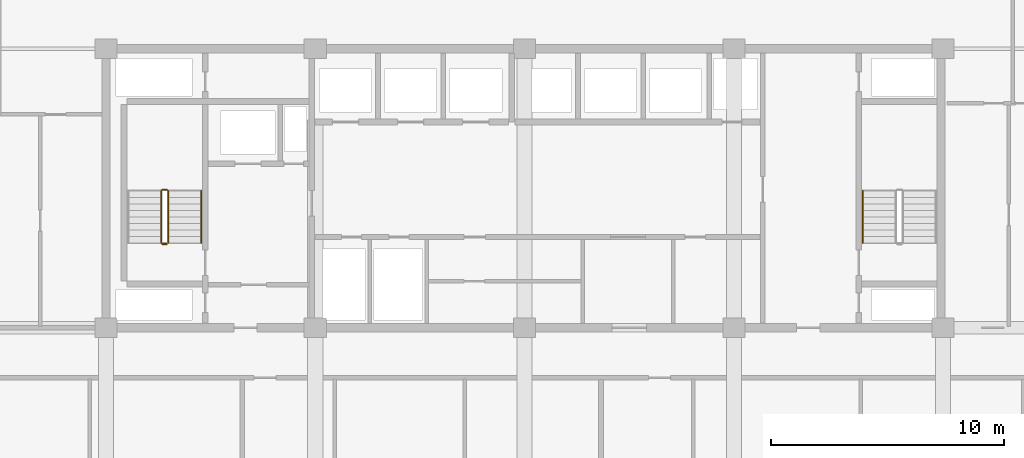
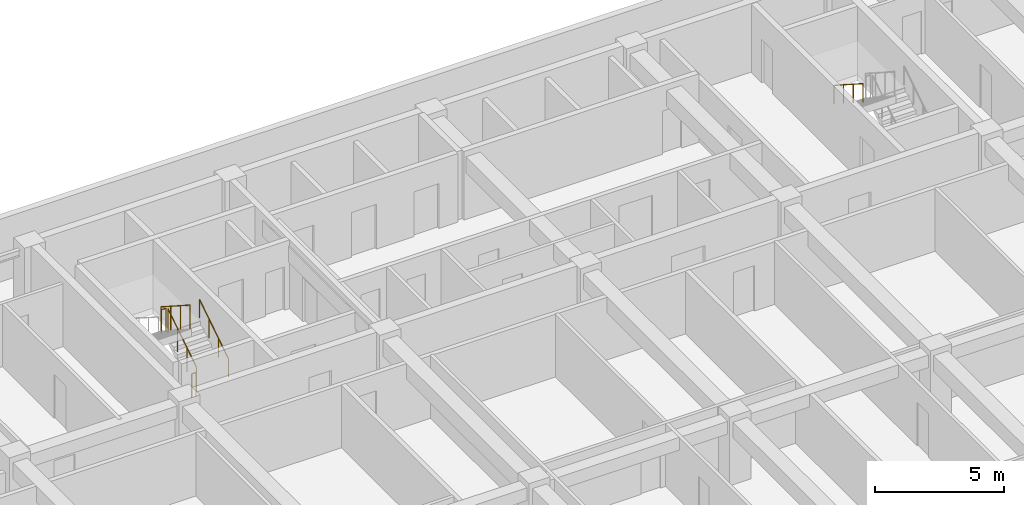
# One storey, part 20 of 23: 6 railings.
"""IFC4 building model written with IfcOpenShell, lengths in metres."""

from ifc_helpers import new_model, si_unit, direction, frame, origin, origin_2d, place, context, subcontext, project, spatial, circle, extrude, material, type_object, element, save


model = new_model("IFC4")

# Units and contexts
model_context = context("Model", 3, precision=1e-05, world=origin(), true_north=direction((0.0, 1.0)))
body_context = subcontext(model_context, "Body", "Model", "MODEL_VIEW")
ifc_project = project(units=[si_unit("LENGTHUNIT", "METRE"), si_unit("AREAUNIT", "SQUARE_METRE"), si_unit("VOLUMEUNIT", "CUBIC_METRE"), si_unit("PLANEANGLEUNIT", "RADIAN"), si_unit("MASSUNIT", "GRAM", prefix="KILO")], contexts=[model_context])

# Site, building, storey
site_placement = place(None, origin())
site = spatial("IfcSite", under=ifc_project, at=site_placement, CompositionType="ELEMENT")
building_placement = place(site_placement, origin())
building = spatial("IfcBuilding", under=site, at=building_placement, Name="Korimba Cascade Residences", CompositionType="ELEMENT")
storey_placement = place(building_placement, frame((0.0, 0.0, 50.0)))
storey = spatial("IfcBuildingStorey", under=building, at=storey_placement, Name="L13", CompositionType="ELEMENT", Elevation=50.0)

# Railings
ifc_material_1 = material(Name="Painted Steel Stairwell Guardrail", Category="steel")
railing_type_1 = type_object("IfcRailingType", Name="RLG-ST-GD1150", PredefinedType="GUARDRAIL", material=ifc_material_1)
railing_1_placement = place(storey_placement, frame((84.77001953125, 22.050048828125, 0.1806640625)))
element("IfcRailing", 1, at=railing_1_placement, inside=storey, type_object=railing_type_1, Name="L13 ST-E1 stair guard 1", PredefinedType="GUARDRAIL", context=body_context, shape_type="SweptSolid", body=[
    extrude(circle(Radius=0.02392578125, at=origin_2d()), frame((0.0, 0.0, 1.1259765625), z_axis=(0.0, 0.840436612492, 0.541909863706), x_axis=(-1.0, 0.0, 0.0)), (0.0, 0.0, 1.0), 2.665283203125),
    extrude(circle(Radius=0.02099609375, at=origin_2d()), origin(), (0.0, 0.0, 1.0), 1.101806640625),
    extrude(circle(Radius=0.02099609375, at=origin_2d()), frame((0.0, 0.74658203125, 0.4814453125)), (0.0, 0.0, 1.0), 1.101806640625),
    extrude(circle(Radius=0.02099609375, at=origin_2d()), frame((0.0, 1.493408203125, 0.962890625)), (0.0, 0.0, 1.0), 1.101806640625),
    extrude(circle(Radius=0.02099609375, at=origin_2d()), frame((0.0, 2.239990234375, 1.4443359375)), (0.0, 0.0, 1.0), 1.101806640625),
])
railing_2_placement = place(storey_placement, frame((84.719970703125, 24.340087890625, 1.625)))
element("IfcRailing", 2, at=railing_2_placement, inside=storey, type_object=railing_type_1, Name="L13 ST-E1 stair guard 2", PredefinedType="GUARDRAIL", context=body_context, shape_type="SweptSolid", body=[
    extrude(circle(Radius=0.02392578125, at=origin_2d()), frame((0.0, 0.0, 1.1259765625), z_axis=(-1.0, 0.0, 0.0), x_axis=(0.0, -1.0, 0.0)), (0.0, 0.0, 1.0), 0.199951171875),
    extrude(circle(Radius=0.02099609375, at=origin_2d()), origin(), (0.0, 0.0, 1.0), 1.101806640625),
    extrude(circle(Radius=0.02099609375, at=origin_2d()), frame((-0.199951171875, 0.0, 0.0)), (0.0, 0.0, 1.0), 1.101806640625),
])
railing_3_placement = place(storey_placement, frame((84.469970703125, 24.2900390625, 1.8056640625)))
element("IfcRailing", 3, at=railing_3_placement, inside=storey, type_object=railing_type_1, Name="L13 ST-E1 stair guard 3", PredefinedType="GUARDRAIL", context=body_context, shape_type="SweptSolid", body=[
    extrude(circle(Radius=0.02392578125, at=origin_2d()), frame((0.0, 0.0, 1.1259765625), z_axis=(0.0, -0.840436612492, 0.541909863706), x_axis=(1.0, 0.0, 0.0)), (0.0, 0.0, 1.0), 2.665283203125),
    extrude(circle(Radius=0.02099609375, at=origin_2d()), origin(), (0.0, 0.0, 1.0), 1.101806640625),
    extrude(circle(Radius=0.02099609375, at=origin_2d()), frame((0.0, -0.74658203125, 0.4814453125)), (0.0, 0.0, 1.0), 1.101806640625),
    extrude(circle(Radius=0.02099609375, at=origin_2d()), frame((0.0, -1.493408203125, 0.962890625)), (0.0, 0.0, 1.0), 1.101806640625),
    extrude(circle(Radius=0.02099609375, at=origin_2d()), frame((0.0, -2.239990234375, 1.4443359375)), (0.0, 0.0, 1.0), 1.101806640625),
])
railing_4_placement = place(storey_placement, frame((84.719970703125, 22.0, 0.0)))
element("IfcRailing", 4, at=railing_4_placement, inside=storey, type_object=railing_type_1, Name="L13 ST-E1 stair guard 4", PredefinedType="GUARDRAIL", context=body_context, shape_type="SweptSolid", body=[
    extrude(circle(Radius=0.02392578125, at=origin_2d()), frame((0.0, 0.0, 1.1259765625), z_axis=(-1.0, 0.0, 0.0), x_axis=(0.0, -1.0, 0.0)), (0.0, 0.0, 1.0), 0.199951171875),
    extrude(circle(Radius=0.02099609375, at=origin_2d()), origin(), (0.0, 0.0, 1.0), 1.101806640625),
    extrude(circle(Radius=0.02099609375, at=origin_2d()), frame((-0.199951171875, 0.0, 0.0)), (0.0, 0.0, 1.0), 1.101806640625),
])
ifc_material_2 = material(Name="Brushed Stainless Steel Handrail", Category="steel")
railing_type_2 = type_object("IfcRailingType", Name="RLG-ST-HR900", PredefinedType="HANDRAIL", material=ifc_material_2)
railing_5_placement = place(storey_placement, frame((86.18994140625, 22.050048828125, 0.364990234375)))
element("IfcRailing", 5, at=railing_5_placement, inside=storey, type_object=railing_type_2, Name="L13 ST-E1 stair handrail 1", PredefinedType="HANDRAIL", context=body_context, shape_type="SweptSolid", body=[
    extrude(circle(Radius=0.02392578125, at=origin_2d()), frame((0.0, 0.0, 0.8759765625), z_axis=(0.0, 0.840436612492, 0.541909863706), x_axis=(-1.0, 0.0, 0.0)), (0.0, 0.0, 1.0), 2.665283203125),
    extrude(circle(Radius=0.02099609375, at=origin_2d()), origin(), (0.0, 0.0, 1.0), 0.851806640625),
    extrude(circle(Radius=0.02099609375, at=origin_2d()), frame((0.0, 0.74658203125, 0.4814453125)), (0.0, 0.0, 1.0), 0.851806640625),
    extrude(circle(Radius=0.02099609375, at=origin_2d()), frame((0.0, 1.493408203125, 0.962890625)), (0.0, 0.0, 1.0), 0.851806640625),
    extrude(circle(Radius=0.02099609375, at=origin_2d()), frame((0.0, 2.239990234375, 1.4443359375)), (0.0, 0.0, 1.0), 0.851806640625),
])
railing_6_placement = place(storey_placement, frame((114.64990234375, 24.2900390625, 1.989990234375)))
element("IfcRailing", 6, at=railing_6_placement, inside=storey, type_object=railing_type_2, Name="L13 ST-E2 stair handrail 2", PredefinedType="HANDRAIL", context=body_context, shape_type="SweptSolid", body=[
    extrude(circle(Radius=0.02392578125, at=origin_2d()), frame((0.0, 0.0, 0.8759765625), z_axis=(0.0, -0.840436612492, 0.541909863706), x_axis=(1.0, 0.0, 0.0)), (0.0, 0.0, 1.0), 2.665283203125),
    extrude(circle(Radius=0.02099609375, at=origin_2d()), origin(), (0.0, 0.0, 1.0), 0.851806640625),
    extrude(circle(Radius=0.02099609375, at=origin_2d()), frame((0.0, -0.74658203125, 0.4814453125)), (0.0, 0.0, 1.0), 0.851806640625),
    extrude(circle(Radius=0.02099609375, at=origin_2d()), frame((0.0, -1.493408203125, 0.962890625)), (0.0, 0.0, 1.0), 0.851806640625),
    extrude(circle(Radius=0.02099609375, at=origin_2d()), frame((0.0, -2.239990234375, 1.4443359375)), (0.0, 0.0, 1.0), 0.851806640625),
])

save(model, "model.ifc")
